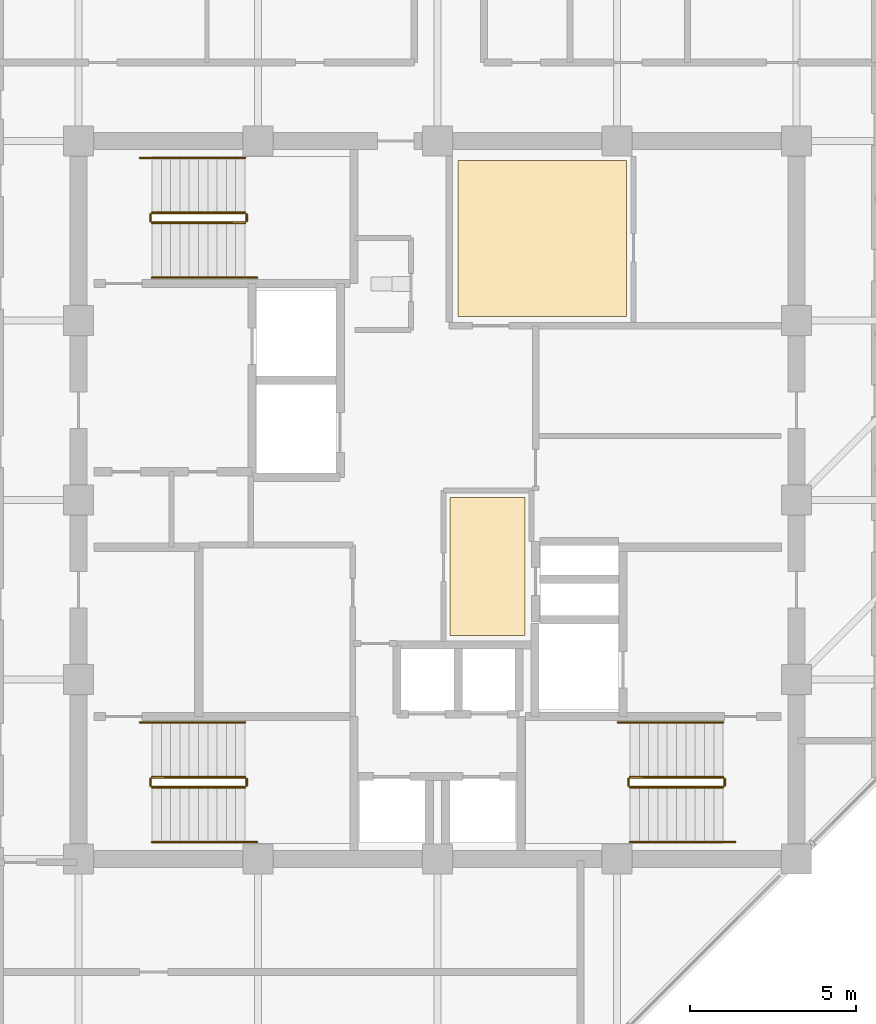
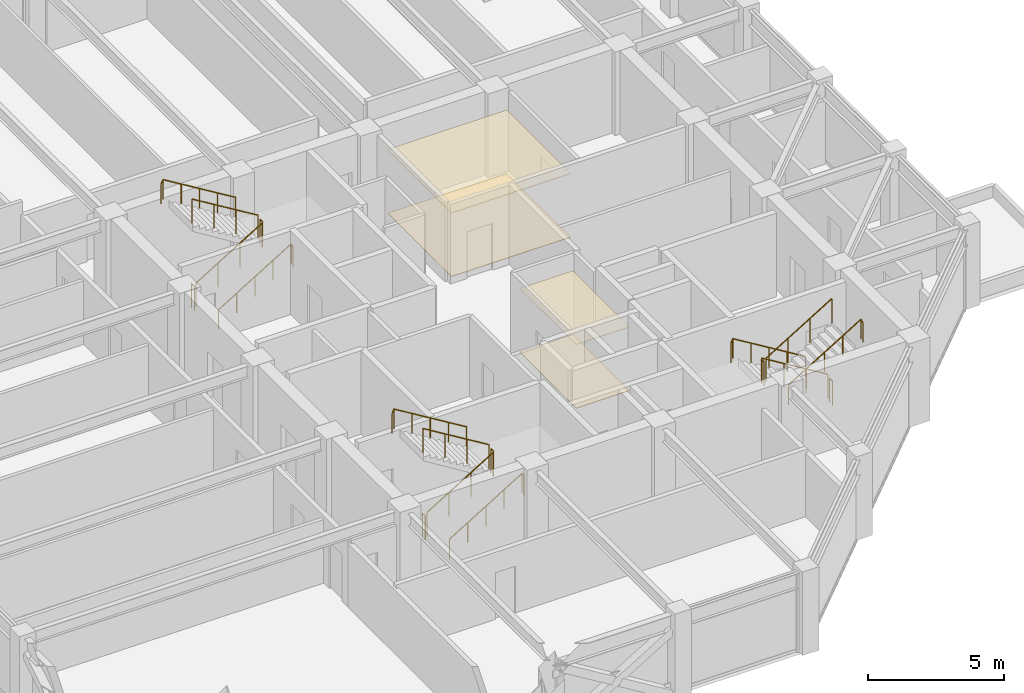
# One storey, part 28 of 29: 18 railings, 4 coverings.
"""IFC4 building model written with IfcOpenShell, lengths in metres."""

from ifc_helpers import new_model, si_unit, direction, frame, origin, origin_2d, place, context, subcontext, project, spatial, polyline, circle, outline, extrude, material, layer, layer_set, type_object, element, save


model = new_model("IFC4")

# Units and contexts
model_context = context("Model", 3, precision=1e-05, world=origin(), true_north=direction((0.0, 1.0)))
body_context = subcontext(model_context, "Body", "Model", "MODEL_VIEW")
ifc_project = project(units=[si_unit("LENGTHUNIT", "METRE"), si_unit("AREAUNIT", "SQUARE_METRE"), si_unit("VOLUMEUNIT", "CUBIC_METRE"), si_unit("PLANEANGLEUNIT", "RADIAN"), si_unit("MASSUNIT", "GRAM", prefix="KILO")], contexts=[model_context])

# Site, building, storey
site_placement = place(None, origin())
site = spatial("IfcSite", under=ifc_project, at=site_placement, CompositionType="ELEMENT")
building_placement = place(site_placement, origin())
building = spatial("IfcBuilding", under=site, at=building_placement, Name="Surkhivell Harbour Commons", CompositionType="ELEMENT")
storey_placement = place(building_placement, frame((0.0, 0.0, 326.25)))
storey = spatial("IfcBuildingStorey", under=building, at=storey_placement, Name="L85", CompositionType="ELEMENT", Elevation=326.25)

# Coverings
ifc_material_1 = material(Name="Perforated acoustic mineral-fibre ceiling tile", Category="other")
ifc_layer_1 = layer(ifc_material_1, 0.02490234375)
ifc_layer_set_1 = layer_set([ifc_layer_1], Name="Perforated acoustic mineral-fibre ceiling tile")
covering_type_1 = type_object("IfcCoveringType", Name="COV-CEIL-AC", PredefinedType="CEILING", material=ifc_layer_set_1)
covering_1_placement = place(storey_placement, frame((0.0, 0.0, 2.85205078125)))
element("IfcCovering", 1, at=covering_1_placement, inside=storey, type_object=covering_type_1, Name="L85 Suspended Acoustic Ceiling 1", PredefinedType="CEILING", context=body_context, shape_type="SweptSolid", body=[
    extrude(outline(polyline([(0.3701171875, -4.080078125), (2.6298828125, -4.080078125), (2.6298828125, 0.080078125), (0.3701171875, 0.080078125), (0.3701171875, -4.080078125)])), origin(), (0.0, 0.0, 1.0), 0.02490234375),
])
ifc_material_2 = material(Name="Moisture-resistant gypsum acoustic ceiling board", Category="other")
ifc_layer_2 = layer(ifc_material_2, 0.030029296875)
ifc_layer_set_2 = layer_set([ifc_layer_2], Name="Moisture-resistant gypsum acoustic ceiling board")
covering_type_2 = type_object("IfcCoveringType", Name="COV-CEIL-GYP", PredefinedType="CEILING", material=ifc_layer_set_2)
covering_2_placement = place(storey_placement, frame((0.0, 0.0, 2.846923828125)))
element("IfcCovering", 2, at=covering_2_placement, inside=storey, type_object=covering_type_2, Name="L85 Suspended Acoustic Ceiling 2", PredefinedType="CEILING", context=body_context, shape_type="SweptSolid", body=[
    extrude(outline(polyline([(0.6201171875, 5.52001953125), (5.679931640625, 5.52001953125), (5.679931640625, 10.219970703125), (0.6201171875, 10.219970703125), (0.6201171875, 5.52001953125)])), origin(), (0.0, 0.0, 1.0), 0.030029296875),
])
ifc_material_3 = material(Name="Engineered acoustic oak timber flooring", Category="wood")
ifc_layer_3 = layer(ifc_material_3, 0.02001953125)
ifc_layer_set_3 = layer_set([ifc_layer_3], Name="Engineered acoustic oak timber flooring")
covering_type_3 = type_object("IfcCoveringType", Name="COV-FLR-TIM", PredefinedType="FLOORING", material=ifc_layer_set_3)
covering_3_placement = place(storey_placement, origin())
element("IfcCovering", 3, at=covering_3_placement, inside=storey, type_object=covering_type_3, Name="L85 Interior Floor Finish 1", PredefinedType="FLOORING", context=body_context, shape_type="SweptSolid", body=[
    extrude(outline(polyline([(0.3701171875, -4.080078125), (2.6298828125, -4.080078125), (2.6298828125, 0.080078125), (0.3701171875, 0.080078125), (0.3701171875, -4.080078125)])), origin(), (0.0, 0.0, 1.0), 0.02001953125),
])
covering_4_placement = place(storey_placement, origin())
element("IfcCovering", 4, at=covering_4_placement, inside=storey, type_object=covering_type_3, Name="L85 Interior Floor Finish 2", PredefinedType="FLOORING", context=body_context, shape_type="SweptSolid", body=[
    extrude(outline(polyline([(0.6201171875, 5.52001953125), (5.679931640625, 5.52001953125), (5.679931640625, 10.219970703125), (0.6201171875, 10.219970703125), (0.6201171875, 5.52001953125)])), origin(), (0.0, 0.0, 1.0), 0.02001953125),
])

# Railings
ifc_material_4 = material(Name="Galvanised and painted steel S355 guard rail", Category="steel")
railing_type_1 = type_object("IfcRailingType", Name="RAL-ST-GRD1100", PredefinedType="GUARDRAIL", material=ifc_material_4)
railing_1_placement = place(storey_placement, frame((-8.590087890625, 8.340087890625, 0.17041015625)))
element("IfcRailing", 5, at=railing_1_placement, inside=storey, type_object=railing_type_1, Name="L85 ST1 stair guard 1", PredefinedType="GUARDRAIL", context=body_context, shape_type="SweptSolid", body=[
    extrude(circle(Radius=0.02392578125, at=origin_2d()), frame((0.0, 0.0, 1.076171875), z_axis=(0.854169791009, 0.0, 0.51999420009), x_axis=(0.0, 1.0, 0.0)), (0.0, 0.0, 1.0), 3.278076171875),
    extrude(circle(Radius=0.02099609375, at=origin_2d()), origin(), (0.0, 0.0, 1.0), 1.052001953125),
    extrude(circle(Radius=0.02099609375, at=origin_2d()), frame((0.933349609375, 0.0, 0.568115234375)), (0.0, 0.0, 1.0), 1.052001953125),
    extrude(circle(Radius=0.02099609375, at=origin_2d()), frame((1.86669921875, 0.0, 1.136474609375)), (0.0, 0.0, 1.0), 1.052001953125),
    extrude(circle(Radius=0.02099609375, at=origin_2d()), frame((2.800048828125, 0.0, 1.70458984375)), (0.0, 0.0, 1.0), 1.052001953125),
])
railing_2_placement = place(storey_placement, frame((-5.739990234375, 8.389892578125, 1.875)))
element("IfcRailing", 6, at=railing_2_placement, inside=storey, type_object=railing_type_1, Name="L85 ST1 stair guard 2", PredefinedType="GUARDRAIL", context=body_context, shape_type="SweptSolid", body=[
    extrude(circle(Radius=0.02392578125, at=origin_2d()), frame((0.0, 0.0, 1.076171875), z_axis=(0.0, 1.0, 0.0), x_axis=(-1.0, 0.0, 0.0)), (0.0, 0.0, 1.0), 0.2001953125),
    extrude(circle(Radius=0.02099609375, at=origin_2d()), origin(), (0.0, 0.0, 1.0), 1.052001953125),
    extrude(circle(Radius=0.02099609375, at=origin_2d()), frame((0.0, 0.2001953125, 0.0)), (0.0, 0.0, 1.0), 1.052001953125),
])
railing_3_placement = place(storey_placement, frame((-5.7900390625, 8.639892578125, 2.04541015625)))
element("IfcRailing", 7, at=railing_3_placement, inside=storey, type_object=railing_type_1, Name="L85 ST1 stair guard 3", PredefinedType="GUARDRAIL", context=body_context, shape_type="SweptSolid", body=[
    extrude(circle(Radius=0.02392578125, at=origin_2d()), frame((0.0, 0.0, 1.076171875), z_axis=(-0.854169791009, 0.0, 0.51999420009), x_axis=(0.0, -1.0, 0.0)), (0.0, 0.0, 1.0), 3.278076171875),
    extrude(circle(Radius=0.02099609375, at=origin_2d()), origin(), (0.0, 0.0, 1.0), 1.052001953125),
    extrude(circle(Radius=0.02099609375, at=origin_2d()), frame((-0.933349609375, 0.0, 0.568115234375)), (0.0, 0.0, 1.0), 1.052001953125),
    extrude(circle(Radius=0.02099609375, at=origin_2d()), frame((-1.86669921875, 0.0, 1.136474609375)), (0.0, 0.0, 1.0), 1.052001953125),
    extrude(circle(Radius=0.02099609375, at=origin_2d()), frame((-2.800048828125, 0.0, 1.70458984375)), (0.0, 0.0, 1.0), 1.052001953125),
])
railing_4_placement = place(storey_placement, frame((-8.639892578125, 8.389892578125, 0.0)))
element("IfcRailing", 8, at=railing_4_placement, inside=storey, type_object=railing_type_1, Name="L85 ST1 stair guard 4", PredefinedType="GUARDRAIL", context=body_context, shape_type="SweptSolid", body=[
    extrude(circle(Radius=0.02392578125, at=origin_2d()), frame((0.0, 0.0, 1.076171875), z_axis=(0.0, 1.0, 0.0), x_axis=(-1.0, 0.0, 0.0)), (0.0, 0.0, 1.0), 0.2001953125),
    extrude(circle(Radius=0.02099609375, at=origin_2d()), origin(), (0.0, 0.0, 1.0), 1.052001953125),
    extrude(circle(Radius=0.02099609375, at=origin_2d()), frame((0.0, 0.2001953125, 0.0)), (0.0, 0.0, 1.0), 1.052001953125),
])
railing_5_placement = place(storey_placement, frame((8.590087890625, -8.340087890625, 0.17041015625)))
element("IfcRailing", 9, at=railing_5_placement, inside=storey, type_object=railing_type_1, Name="L85 ST2 stair guard 1", PredefinedType="GUARDRAIL", context=body_context, shape_type="SweptSolid", body=[
    extrude(circle(Radius=0.02392578125, at=origin_2d()), frame((0.0, 0.0, 1.076171875), z_axis=(-0.854169791009, 0.0, 0.51999420009), x_axis=(0.0, -1.0, 0.0)), (0.0, 0.0, 1.0), 3.278076171875),
    extrude(circle(Radius=0.02099609375, at=origin_2d()), origin(), (0.0, 0.0, 1.0), 1.052001953125),
    extrude(circle(Radius=0.02099609375, at=origin_2d()), frame((-0.933349609375, 0.0, 0.568115234375)), (0.0, 0.0, 1.0), 1.052001953125),
    extrude(circle(Radius=0.02099609375, at=origin_2d()), frame((-1.86669921875, 0.0, 1.136474609375)), (0.0, 0.0, 1.0), 1.052001953125),
    extrude(circle(Radius=0.02099609375, at=origin_2d()), frame((-2.800048828125, 0.0, 1.70458984375)), (0.0, 0.0, 1.0), 1.052001953125),
])
railing_6_placement = place(storey_placement, frame((5.739990234375, -8.389892578125, 1.875)))
element("IfcRailing", 10, at=railing_6_placement, inside=storey, type_object=railing_type_1, Name="L85 ST2 stair guard 2", PredefinedType="GUARDRAIL", context=body_context, shape_type="SweptSolid", body=[
    extrude(circle(Radius=0.02392578125, at=origin_2d()), frame((0.0, 0.0, 1.076171875), z_axis=(0.0, -1.0, 0.0), x_axis=(1.0, 0.0, 0.0)), (0.0, 0.0, 1.0), 0.2001953125),
    extrude(circle(Radius=0.02099609375, at=origin_2d()), origin(), (0.0, 0.0, 1.0), 1.052001953125),
    extrude(circle(Radius=0.02099609375, at=origin_2d()), frame((0.0, -0.2001953125, 0.0)), (0.0, 0.0, 1.0), 1.052001953125),
])
railing_7_placement = place(storey_placement, frame((5.7900390625, -8.639892578125, 2.04541015625)))
element("IfcRailing", 11, at=railing_7_placement, inside=storey, type_object=railing_type_1, Name="L85 ST2 stair guard 3", PredefinedType="GUARDRAIL", context=body_context, shape_type="SweptSolid", body=[
    extrude(circle(Radius=0.02392578125, at=origin_2d()), frame((0.0, 0.0, 1.076171875), z_axis=(0.854169791009, 0.0, 0.51999420009), x_axis=(0.0, 1.0, 0.0)), (0.0, 0.0, 1.0), 3.278076171875),
    extrude(circle(Radius=0.02099609375, at=origin_2d()), origin(), (0.0, 0.0, 1.0), 1.052001953125),
    extrude(circle(Radius=0.02099609375, at=origin_2d()), frame((0.933349609375, 0.0, 0.568115234375)), (0.0, 0.0, 1.0), 1.052001953125),
    extrude(circle(Radius=0.02099609375, at=origin_2d()), frame((1.86669921875, 0.0, 1.136474609375)), (0.0, 0.0, 1.0), 1.052001953125),
    extrude(circle(Radius=0.02099609375, at=origin_2d()), frame((2.800048828125, 0.0, 1.70458984375)), (0.0, 0.0, 1.0), 1.052001953125),
])
railing_8_placement = place(storey_placement, frame((8.639892578125, -8.389892578125, 0.0)))
element("IfcRailing", 12, at=railing_8_placement, inside=storey, type_object=railing_type_1, Name="L85 ST2 stair guard 4", PredefinedType="GUARDRAIL", context=body_context, shape_type="SweptSolid", body=[
    extrude(circle(Radius=0.02392578125, at=origin_2d()), frame((0.0, 0.0, 1.076171875), z_axis=(0.0, -1.0, 0.0), x_axis=(1.0, 0.0, 0.0)), (0.0, 0.0, 1.0), 0.2001953125),
    extrude(circle(Radius=0.02099609375, at=origin_2d()), origin(), (0.0, 0.0, 1.0), 1.052001953125),
    extrude(circle(Radius=0.02099609375, at=origin_2d()), frame((0.0, -0.2001953125, 0.0)), (0.0, 0.0, 1.0), 1.052001953125),
])
railing_9_placement = place(storey_placement, frame((-8.590087890625, -8.639892578125, 0.17041015625)))
element("IfcRailing", 13, at=railing_9_placement, inside=storey, type_object=railing_type_1, Name="L85 ST3 stair guard 1", PredefinedType="GUARDRAIL", context=body_context, shape_type="SweptSolid", body=[
    extrude(circle(Radius=0.02392578125, at=origin_2d()), frame((0.0, 0.0, 1.076171875), z_axis=(0.854169791009, 0.0, 0.51999420009), x_axis=(0.0, 1.0, 0.0)), (0.0, 0.0, 1.0), 3.278076171875),
    extrude(circle(Radius=0.02099609375, at=origin_2d()), origin(), (0.0, 0.0, 1.0), 1.052001953125),
    extrude(circle(Radius=0.02099609375, at=origin_2d()), frame((0.933349609375, 0.0, 0.568115234375)), (0.0, 0.0, 1.0), 1.052001953125),
    extrude(circle(Radius=0.02099609375, at=origin_2d()), frame((1.86669921875, 0.0, 1.136474609375)), (0.0, 0.0, 1.0), 1.052001953125),
    extrude(circle(Radius=0.02099609375, at=origin_2d()), frame((2.800048828125, 0.0, 1.70458984375)), (0.0, 0.0, 1.0), 1.052001953125),
])
railing_10_placement = place(storey_placement, frame((-5.739990234375, -8.590087890625, 1.875)))
element("IfcRailing", 14, at=railing_10_placement, inside=storey, type_object=railing_type_1, Name="L85 ST3 stair guard 2", PredefinedType="GUARDRAIL", context=body_context, shape_type="SweptSolid", body=[
    extrude(circle(Radius=0.02392578125, at=origin_2d()), frame((0.0, 0.0, 1.076171875), z_axis=(0.0, 1.0, 0.0), x_axis=(-1.0, 0.0, 0.0)), (0.0, 0.0, 1.0), 0.2001953125),
    extrude(circle(Radius=0.02099609375, at=origin_2d()), origin(), (0.0, 0.0, 1.0), 1.052001953125),
    extrude(circle(Radius=0.02099609375, at=origin_2d()), frame((0.0, 0.2001953125, 0.0)), (0.0, 0.0, 1.0), 1.052001953125),
])
railing_11_placement = place(storey_placement, frame((-5.7900390625, -8.340087890625, 2.04541015625)))
element("IfcRailing", 15, at=railing_11_placement, inside=storey, type_object=railing_type_1, Name="L85 ST3 stair guard 3", PredefinedType="GUARDRAIL", context=body_context, shape_type="SweptSolid", body=[
    extrude(circle(Radius=0.02392578125, at=origin_2d()), frame((0.0, 0.0, 1.076171875), z_axis=(-0.854169791009, 0.0, 0.51999420009), x_axis=(0.0, -1.0, 0.0)), (0.0, 0.0, 1.0), 3.278076171875),
    extrude(circle(Radius=0.02099609375, at=origin_2d()), origin(), (0.0, 0.0, 1.0), 1.052001953125),
    extrude(circle(Radius=0.02099609375, at=origin_2d()), frame((-0.933349609375, 0.0, 0.568115234375)), (0.0, 0.0, 1.0), 1.052001953125),
    extrude(circle(Radius=0.02099609375, at=origin_2d()), frame((-1.86669921875, 0.0, 1.136474609375)), (0.0, 0.0, 1.0), 1.052001953125),
    extrude(circle(Radius=0.02099609375, at=origin_2d()), frame((-2.800048828125, 0.0, 1.70458984375)), (0.0, 0.0, 1.0), 1.052001953125),
])
railing_12_placement = place(storey_placement, frame((-8.639892578125, -8.590087890625, 0.0)))
element("IfcRailing", 16, at=railing_12_placement, inside=storey, type_object=railing_type_1, Name="L85 ST3 stair guard 4", PredefinedType="GUARDRAIL", context=body_context, shape_type="SweptSolid", body=[
    extrude(circle(Radius=0.02392578125, at=origin_2d()), frame((0.0, 0.0, 1.076171875), z_axis=(0.0, 1.0, 0.0), x_axis=(-1.0, 0.0, 0.0)), (0.0, 0.0, 1.0), 0.2001953125),
    extrude(circle(Radius=0.02099609375, at=origin_2d()), origin(), (0.0, 0.0, 1.0), 1.052001953125),
    extrude(circle(Radius=0.02099609375, at=origin_2d()), frame((0.0, 0.2001953125, 0.0)), (0.0, 0.0, 1.0), 1.052001953125),
])
ifc_material_5 = material(Name="Brushed stainless steel S355 handrail", Category="steel")
railing_type_2 = type_object("IfcRailingType", Name="RAL-ST-HND900", PredefinedType="HANDRAIL", material=ifc_material_5)
railing_13_placement = place(storey_placement, frame((-8.590087890625, 6.68994140625, 0.17041015625)))
element("IfcRailing", 17, at=railing_13_placement, inside=storey, type_object=railing_type_2, Name="L85 ST1 stair handrail 1", PredefinedType="HANDRAIL", context=body_context, shape_type="SweptSolid", body=[
    extrude(circle(Radius=0.02392578125, at=origin_2d()), frame((0.0, 0.0, 0.8759765625), z_axis=(0.854177636135, 0.0, 0.519981313056), x_axis=(0.0, 1.0, 0.0)), (0.0, 0.0, 1.0), 3.60595703125),
    extrude(circle(Radius=0.02392578125, at=origin_2d()), frame((3.080078125, 0.0, 2.7509765625), z_axis=(0.425297416671, 0.0, -0.905053648892), x_axis=(0.0, 1.0, 0.0)), (0.0, 0.0, 1.0), 0.188232421875),
    extrude(circle(Radius=0.02099609375, at=origin_2d()), origin(), (0.0, 0.0, 1.0), 0.851806640625),
    extrude(circle(Radius=0.02099609375, at=origin_2d()), frame((0.77001953125, 0.0, 0.46875)), (0.0, 0.0, 1.0), 0.851806640625),
    extrude(circle(Radius=0.02099609375, at=origin_2d()), frame((1.5400390625, 0.0, 0.9375)), (0.0, 0.0, 1.0), 0.851806640625),
    extrude(circle(Radius=0.02099609375, at=origin_2d()), frame((2.31005859375, 0.0, 1.40625)), (0.0, 0.0, 1.0), 0.851806640625),
    extrude(circle(Radius=0.02099609375, at=origin_2d()), frame((3.080078125, 0.0, 1.875)), (0.0, 0.0, 1.0), 0.851806640625),
    extrude(circle(Radius=0.02099609375, at=origin_2d()), frame((3.16015625, 0.0, 1.70458984375)), (0.0, 0.0, 1.0), 0.851806640625),
])
railing_14_placement = place(storey_placement, frame((-5.7900390625, 10.2900390625, 2.04541015625)))
element("IfcRailing", 18, at=railing_14_placement, inside=storey, type_object=railing_type_2, Name="L85 ST1 stair handrail 2", PredefinedType="HANDRAIL", context=body_context, shape_type="SweptSolid", body=[
    extrude(circle(Radius=0.02392578125, at=origin_2d()), frame((0.0, 0.0, 0.8759765625), z_axis=(-0.854177636135, 0.0, 0.519981313056), x_axis=(0.0, -1.0, 0.0)), (0.0, 0.0, 1.0), 3.60595703125),
    extrude(circle(Radius=0.02392578125, at=origin_2d()), frame((-3.080078125, 0.0, 2.7509765625), z_axis=(-0.424234432967, 0.0, -0.905552398199), x_axis=(0.0, -1.0, 0.0)), (0.0, 0.0, 1.0), 0.188232421875),
    extrude(circle(Radius=0.02099609375, at=origin_2d()), origin(), (0.0, 0.0, 1.0), 0.851806640625),
    extrude(circle(Radius=0.02099609375, at=origin_2d()), frame((-0.77001953125, 0.0, 0.46875)), (0.0, 0.0, 1.0), 0.851806640625),
    extrude(circle(Radius=0.02099609375, at=origin_2d()), frame((-1.5400390625, 0.0, 0.9375)), (0.0, 0.0, 1.0), 0.851806640625),
    extrude(circle(Radius=0.02099609375, at=origin_2d()), frame((-2.31005859375, 0.0, 1.40625)), (0.0, 0.0, 1.0), 0.851806640625),
    extrude(circle(Radius=0.02099609375, at=origin_2d()), frame((-3.080078125, 0.0, 1.875)), (0.0, 0.0, 1.0), 0.851806640625),
    extrude(circle(Radius=0.02099609375, at=origin_2d()), frame((-3.159912109375, 0.0, 1.70458984375)), (0.0, 0.0, 1.0), 0.851806640625),
])
railing_15_placement = place(storey_placement, frame((8.590087890625, -6.68994140625, 0.17041015625)))
element("IfcRailing", 19, at=railing_15_placement, inside=storey, type_object=railing_type_2, Name="L85 ST2 stair handrail 1", PredefinedType="HANDRAIL", context=body_context, shape_type="SweptSolid", body=[
    extrude(circle(Radius=0.02392578125, at=origin_2d()), frame((0.0, 0.0, 0.8759765625), z_axis=(-0.854177636135, 0.0, 0.519981313056), x_axis=(0.0, -1.0, 0.0)), (0.0, 0.0, 1.0), 3.60595703125),
    extrude(circle(Radius=0.02392578125, at=origin_2d()), frame((-3.080078125, 0.0, 2.7509765625), z_axis=(-0.425297416671, 0.0, -0.905053648892), x_axis=(0.0, -1.0, 0.0)), (0.0, 0.0, 1.0), 0.188232421875),
    extrude(circle(Radius=0.02099609375, at=origin_2d()), origin(), (0.0, 0.0, 1.0), 0.851806640625),
    extrude(circle(Radius=0.02099609375, at=origin_2d()), frame((-0.77001953125, 0.0, 0.46875)), (0.0, 0.0, 1.0), 0.851806640625),
    extrude(circle(Radius=0.02099609375, at=origin_2d()), frame((-1.5400390625, 0.0, 0.9375)), (0.0, 0.0, 1.0), 0.851806640625),
    extrude(circle(Radius=0.02099609375, at=origin_2d()), frame((-2.31005859375, 0.0, 1.40625)), (0.0, 0.0, 1.0), 0.851806640625),
    extrude(circle(Radius=0.02099609375, at=origin_2d()), frame((-3.080078125, 0.0, 1.875)), (0.0, 0.0, 1.0), 0.851806640625),
    extrude(circle(Radius=0.02099609375, at=origin_2d()), frame((-3.16015625, 0.0, 1.70458984375)), (0.0, 0.0, 1.0), 0.851806640625),
])
railing_16_placement = place(storey_placement, frame((5.7900390625, -10.2900390625, 2.04541015625)))
element("IfcRailing", 20, at=railing_16_placement, inside=storey, type_object=railing_type_2, Name="L85 ST2 stair handrail 2", PredefinedType="HANDRAIL", context=body_context, shape_type="SweptSolid", body=[
    extrude(circle(Radius=0.02392578125, at=origin_2d()), frame((0.0, 0.0, 0.8759765625), z_axis=(0.854177636135, 0.0, 0.519981313056), x_axis=(0.0, 1.0, 0.0)), (0.0, 0.0, 1.0), 3.60595703125),
    extrude(circle(Radius=0.02392578125, at=origin_2d()), frame((3.080078125, 0.0, 2.7509765625), z_axis=(0.424234432967, 0.0, -0.905552398199), x_axis=(0.0, 1.0, 0.0)), (0.0, 0.0, 1.0), 0.188232421875),
    extrude(circle(Radius=0.02099609375, at=origin_2d()), origin(), (0.0, 0.0, 1.0), 0.851806640625),
    extrude(circle(Radius=0.02099609375, at=origin_2d()), frame((0.77001953125, 0.0, 0.46875)), (0.0, 0.0, 1.0), 0.851806640625),
    extrude(circle(Radius=0.02099609375, at=origin_2d()), frame((1.5400390625, 0.0, 0.9375)), (0.0, 0.0, 1.0), 0.851806640625),
    extrude(circle(Radius=0.02099609375, at=origin_2d()), frame((2.31005859375, 0.0, 1.40625)), (0.0, 0.0, 1.0), 0.851806640625),
    extrude(circle(Radius=0.02099609375, at=origin_2d()), frame((3.080078125, 0.0, 1.875)), (0.0, 0.0, 1.0), 0.851806640625),
    extrude(circle(Radius=0.02099609375, at=origin_2d()), frame((3.159912109375, 0.0, 1.70458984375)), (0.0, 0.0, 1.0), 0.851806640625),
])
railing_17_placement = place(storey_placement, frame((-8.590087890625, -10.2900390625, 0.17041015625)))
element("IfcRailing", 21, at=railing_17_placement, inside=storey, type_object=railing_type_2, Name="L85 ST3 stair handrail 1", PredefinedType="HANDRAIL", context=body_context, shape_type="SweptSolid", body=[
    extrude(circle(Radius=0.02392578125, at=origin_2d()), frame((0.0, 0.0, 0.8759765625), z_axis=(0.854177636135, 0.0, 0.519981313056), x_axis=(0.0, 1.0, 0.0)), (0.0, 0.0, 1.0), 3.60595703125),
    extrude(circle(Radius=0.02392578125, at=origin_2d()), frame((3.080078125, 0.0, 2.7509765625), z_axis=(0.425297416671, 0.0, -0.905053648892), x_axis=(0.0, 1.0, 0.0)), (0.0, 0.0, 1.0), 0.188232421875),
    extrude(circle(Radius=0.02099609375, at=origin_2d()), origin(), (0.0, 0.0, 1.0), 0.851806640625),
    extrude(circle(Radius=0.02099609375, at=origin_2d()), frame((0.77001953125, 0.0, 0.46875)), (0.0, 0.0, 1.0), 0.851806640625),
    extrude(circle(Radius=0.02099609375, at=origin_2d()), frame((1.5400390625, 0.0, 0.9375)), (0.0, 0.0, 1.0), 0.851806640625),
    extrude(circle(Radius=0.02099609375, at=origin_2d()), frame((2.31005859375, 0.0, 1.40625)), (0.0, 0.0, 1.0), 0.851806640625),
    extrude(circle(Radius=0.02099609375, at=origin_2d()), frame((3.080078125, 0.0, 1.875)), (0.0, 0.0, 1.0), 0.851806640625),
    extrude(circle(Radius=0.02099609375, at=origin_2d()), frame((3.16015625, 0.0, 1.70458984375)), (0.0, 0.0, 1.0), 0.851806640625),
])
railing_18_placement = place(storey_placement, frame((-5.7900390625, -6.68994140625, 2.04541015625)))
element("IfcRailing", 22, at=railing_18_placement, inside=storey, type_object=railing_type_2, Name="L85 ST3 stair handrail 2", PredefinedType="HANDRAIL", context=body_context, shape_type="SweptSolid", body=[
    extrude(circle(Radius=0.02392578125, at=origin_2d()), frame((0.0, 0.0, 0.8759765625), z_axis=(-0.854177636135, 0.0, 0.519981313056), x_axis=(0.0, -1.0, 0.0)), (0.0, 0.0, 1.0), 3.60595703125),
    extrude(circle(Radius=0.02392578125, at=origin_2d()), frame((-3.080078125, 0.0, 2.7509765625), z_axis=(-0.424234432967, 0.0, -0.905552398199), x_axis=(0.0, -1.0, 0.0)), (0.0, 0.0, 1.0), 0.188232421875),
    extrude(circle(Radius=0.02099609375, at=origin_2d()), origin(), (0.0, 0.0, 1.0), 0.851806640625),
    extrude(circle(Radius=0.02099609375, at=origin_2d()), frame((-0.77001953125, 0.0, 0.46875)), (0.0, 0.0, 1.0), 0.851806640625),
    extrude(circle(Radius=0.02099609375, at=origin_2d()), frame((-1.5400390625, 0.0, 0.9375)), (0.0, 0.0, 1.0), 0.851806640625),
    extrude(circle(Radius=0.02099609375, at=origin_2d()), frame((-2.31005859375, 0.0, 1.40625)), (0.0, 0.0, 1.0), 0.851806640625),
    extrude(circle(Radius=0.02099609375, at=origin_2d()), frame((-3.080078125, 0.0, 1.875)), (0.0, 0.0, 1.0), 0.851806640625),
    extrude(circle(Radius=0.02099609375, at=origin_2d()), frame((-3.159912109375, 0.0, 1.70458984375)), (0.0, 0.0, 1.0), 0.851806640625),
])

save(model, "model.ifc")
